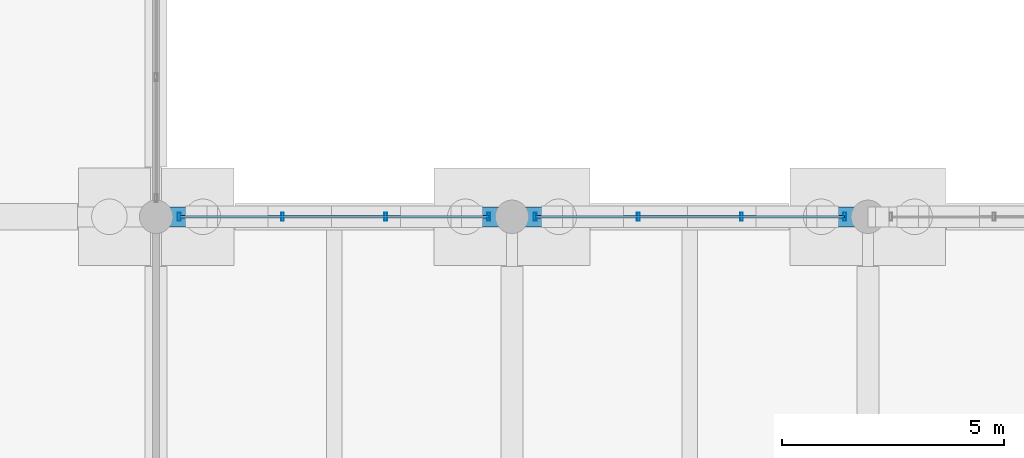
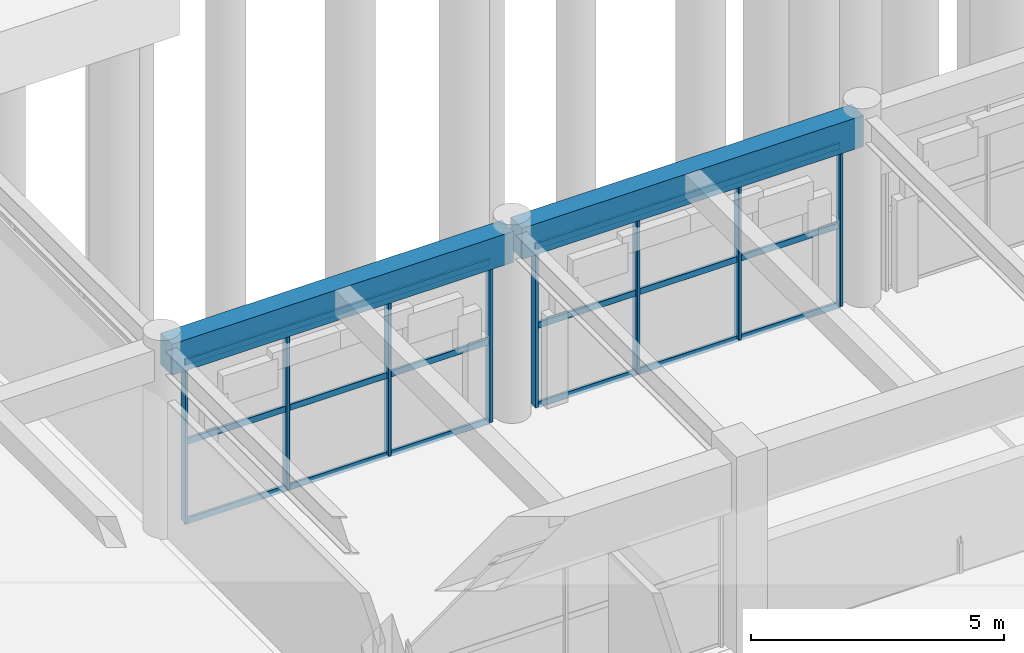
# One storey, part 58 of 147: 14 members, 2 beams, 2 elements without a shape of their own.
"""IFC4 building model written with IfcOpenShell, lengths in metres."""

from ifc_helpers import new_model, si_unit, direction, frame, origin, origin_2d, place, context, subcontext, project, spatial, rectangle, hollow_rectangle, extrude, material, material_profile, profile_set, type_object, element, aggregate, save


model = new_model("IFC4")

# Units and contexts
model_context = context("Model", 3, precision=1e-05, world=origin(), true_north=direction((0.0, 1.0)))
body_context = subcontext(model_context, "Body", "Model", "MODEL_VIEW")
ifc_project = project(units=[si_unit("LENGTHUNIT", "METRE"), si_unit("AREAUNIT", "SQUARE_METRE"), si_unit("VOLUMEUNIT", "CUBIC_METRE"), si_unit("PLANEANGLEUNIT", "RADIAN"), si_unit("MASSUNIT", "GRAM", prefix="KILO")], contexts=[model_context])

# Site, building, storey
site_placement = place(None, origin())
site = spatial("IfcSite", under=ifc_project, at=site_placement, CompositionType="ELEMENT")
building_placement = place(site_placement, origin())
building = spatial("IfcBuilding", under=site, at=building_placement, Name="Varnabhumi Central Station", CompositionType="ELEMENT")
storey_placement = place(building_placement, origin())
storey = spatial("IfcBuildingStorey", under=building, at=storey_placement, Name="L00", CompositionType="ELEMENT", Elevation=0.0)

# Beams
ifc_material_1 = material(Name="Concrete M40", Category="concrete")
ifc_material_profile_1 = material_profile(ifc_material_1, rectangle(XDim=0.449951171875, YDim=0.75, at=origin_2d()), Name="Concrete M40", Category="concrete")
ifc_profile_set_1 = profile_set([ifc_material_profile_1], Name="Concrete M40")
beam_type = type_object("IfcBeamType", Name="BM-RC-450x750", PredefinedType="BEAM", material=ifc_profile_set_1)
for number, where, z_axis, x_axis, name in (
    (1, (48.10009765625, 89.0, 4.175048828125), (1.0, 0.0, 0.0), (0.0, 1.0, 0.0), "Beam L00-L:7-8"),
    (2, (56.10009765625, 89.0, 4.175048828125), (1.0, 0.0, 0.0), (0.0, 1.0, 0.0), "Beam L00-L:8-9"),
):
    element("IfcBeam", number, at=place(storey_placement, frame(where, z_axis=z_axis, x_axis=x_axis)), inside=storey, type_object=beam_type, Name=name, PredefinedType="BEAM", context=body_context, shape_type="SweptSolid", body=[
        extrude(rectangle(XDim=0.449951171875, YDim=0.75, at=origin_2d()), origin(), (0.0, 0.0, 1.0), 7.7998046875),
    ])

# Curtain wall, members
ifc_material_2 = material(Name="Anodised aluminium 6063-T6", Category="aluminium")
curtain_wall_type = type_object("IfcCurtainWallType", Name="CW-PATIO-LOGGIA-L0", PredefinedType="NOTDEFINED", material=ifc_material_2)
curtain_wall_1_placement = place(storey_placement, origin())
curtain_wall_1 = element("IfcCurtainWall", 3, at=curtain_wall_1_placement, inside=storey, type_object=curtain_wall_type, Name="Curtain Wall CW-NP0S1", PredefinedType="NOTDEFINED")
ifc_material_profile_2 = material_profile(ifc_material_2, hollow_rectangle(XDim=0.06494140625, YDim=0.179931640625, WallThickness=0.00390625, InnerFilletRadius=0.001953125, OuterFilletRadius=0.006103515625, at=origin_2d()), Name="Anodised aluminium 6063-T6", Category="aluminium")
ifc_profile_set_2 = profile_set([ifc_material_profile_2], Name="Anodised aluminium 6063-T6")
member_type_1 = type_object("IfcMemberType", Name="CW-MUL-180", PredefinedType="MULLION", material=ifc_profile_set_2)
member_1_placement = place(storey_placement, frame((48.52001953125, 89.0, 0.0), z_axis=(0.0, 0.0, 1.0), x_axis=(1.0, 0.0, 0.0)))
member_1 = element("IfcMember", 4, at=member_1_placement, type_object=member_type_1, Name="Curtain Wall Mullion CW-NP0S1-M1", PredefinedType="MULLION", context=body_context, shape_type="SweptSolid", body=[
    extrude(hollow_rectangle(XDim=0.06494140625, YDim=0.179931640625, WallThickness=0.00390625, InnerFilletRadius=0.001953125, OuterFilletRadius=0.006103515625, at=origin_2d()), origin(), (0.0, 0.0, 1.0), 3.840087890625),
])
member_2_placement = place(storey_placement, frame((50.840087890625, 89.0, 0.0), z_axis=(0.0, 0.0, 1.0), x_axis=(1.0, 0.0, 0.0)))
member_2 = element("IfcMember", 5, at=member_2_placement, type_object=member_type_1, Name="Curtain Wall Mullion CW-NP0S1-M2", PredefinedType="MULLION", context=body_context, shape_type="SweptSolid", body=[
    extrude(hollow_rectangle(XDim=0.06494140625, YDim=0.179931640625, WallThickness=0.00390625, InnerFilletRadius=0.001953125, OuterFilletRadius=0.006103515625, at=origin_2d()), origin(), (0.0, 0.0, 1.0), 3.840087890625),
])
member_3_placement = place(storey_placement, frame((53.159912109375, 89.0, 0.0), z_axis=(0.0, 0.0, 1.0), x_axis=(1.0, 0.0, 0.0)))
member_3 = element("IfcMember", 6, at=member_3_placement, type_object=member_type_1, Name="Curtain Wall Mullion CW-NP0S1-M3", PredefinedType="MULLION", context=body_context, shape_type="SweptSolid", body=[
    extrude(hollow_rectangle(XDim=0.06494140625, YDim=0.179931640625, WallThickness=0.00390625, InnerFilletRadius=0.001953125, OuterFilletRadius=0.006103515625, at=origin_2d()), origin(), (0.0, 0.0, 1.0), 3.840087890625),
])
member_4_placement = place(storey_placement, frame((55.47998046875, 89.0, 0.0), z_axis=(0.0, 0.0, 1.0), x_axis=(1.0, 0.0, 0.0)))
member_4 = element("IfcMember", 7, at=member_4_placement, type_object=member_type_1, Name="Curtain Wall Mullion CW-NP0S1-M4", PredefinedType="MULLION", context=body_context, shape_type="SweptSolid", body=[
    extrude(hollow_rectangle(XDim=0.06494140625, YDim=0.179931640625, WallThickness=0.00390625, InnerFilletRadius=0.001953125, OuterFilletRadius=0.006103515625, at=origin_2d()), origin(), (0.0, 0.0, 1.0), 3.840087890625),
])

curtain_wall_2_placement = place(storey_placement, origin())
curtain_wall_2 = element("IfcCurtainWall", 8, at=curtain_wall_2_placement, inside=storey, type_object=curtain_wall_type, Name="Curtain Wall CW-NP0S2", PredefinedType="NOTDEFINED")
member_5_placement = place(storey_placement, frame((56.52001953125, 89.0, 0.0), z_axis=(0.0, 0.0, 1.0), x_axis=(1.0, 0.0, 0.0)))
member_5 = element("IfcMember", 9, at=member_5_placement, type_object=member_type_1, Name="Curtain Wall Mullion CW-NP0S2-M1", PredefinedType="MULLION", context=body_context, shape_type="SweptSolid", body=[
    extrude(hollow_rectangle(XDim=0.06494140625, YDim=0.179931640625, WallThickness=0.00390625, InnerFilletRadius=0.001953125, OuterFilletRadius=0.006103515625, at=origin_2d()), origin(), (0.0, 0.0, 1.0), 3.840087890625),
])
member_6_placement = place(storey_placement, frame((58.840087890625, 89.0, 0.0), z_axis=(0.0, 0.0, 1.0), x_axis=(1.0, 0.0, 0.0)))
member_6 = element("IfcMember", 10, at=member_6_placement, type_object=member_type_1, Name="Curtain Wall Mullion CW-NP0S2-M2", PredefinedType="MULLION", context=body_context, shape_type="SweptSolid", body=[
    extrude(hollow_rectangle(XDim=0.06494140625, YDim=0.179931640625, WallThickness=0.00390625, InnerFilletRadius=0.001953125, OuterFilletRadius=0.006103515625, at=origin_2d()), origin(), (0.0, 0.0, 1.0), 3.840087890625),
])
member_7_placement = place(storey_placement, frame((61.159912109375, 89.0, 0.0), z_axis=(0.0, 0.0, 1.0), x_axis=(1.0, 0.0, 0.0)))
member_7 = element("IfcMember", 11, at=member_7_placement, type_object=member_type_1, Name="Curtain Wall Mullion CW-NP0S2-M3", PredefinedType="MULLION", context=body_context, shape_type="SweptSolid", body=[
    extrude(hollow_rectangle(XDim=0.06494140625, YDim=0.179931640625, WallThickness=0.00390625, InnerFilletRadius=0.001953125, OuterFilletRadius=0.006103515625, at=origin_2d()), origin(), (0.0, 0.0, 1.0), 3.840087890625),
])
member_8_placement = place(storey_placement, frame((63.47998046875, 89.0, 0.0), z_axis=(0.0, 0.0, 1.0), x_axis=(1.0, 0.0, 0.0)))
member_8 = element("IfcMember", 12, at=member_8_placement, type_object=member_type_1, Name="Curtain Wall Mullion CW-NP0S2-M4", PredefinedType="MULLION", context=body_context, shape_type="SweptSolid", body=[
    extrude(hollow_rectangle(XDim=0.06494140625, YDim=0.179931640625, WallThickness=0.00390625, InnerFilletRadius=0.001953125, OuterFilletRadius=0.006103515625, at=origin_2d()), origin(), (0.0, 0.0, 1.0), 3.840087890625),
])

# Member
ifc_material_profile_3 = material_profile(ifc_material_2, hollow_rectangle(XDim=0.06005859375, YDim=0.14990234375, WallThickness=0.00390625, InnerFilletRadius=0.001953125, OuterFilletRadius=0.006103515625, at=origin_2d()), Name="Anodised aluminium 6063-T6", Category="aluminium")
ifc_profile_set_3 = profile_set([ifc_material_profile_3], Name="Anodised aluminium 6063-T6")
member_type_2 = type_object("IfcMemberType", Name="CW-TR-150", PredefinedType="USERDEFINED", material=ifc_profile_set_3)
member_9_placement = place(storey_placement, frame((48.52001953125, 89.0, 0.0), z_axis=(1.0, 0.0, 0.0), x_axis=(0.0, 1.0, 0.0)))
member_9 = element("IfcMember", 13, at=member_9_placement, type_object=member_type_2, Name="Curtain Wall Transom CW-NP0S1-T1", ObjectType="TRANSOM", PredefinedType="USERDEFINED", context=body_context, shape_type="SweptSolid", body=[
    extrude(hollow_rectangle(XDim=0.06005859375, YDim=0.14990234375, WallThickness=0.00390625, InnerFilletRadius=0.001953125, OuterFilletRadius=0.006103515625, at=origin_2d()), origin(), (0.0, 0.0, 1.0), 6.9599609375),
])

member_10_placement = place(storey_placement, frame((48.52001953125, 89.0, 1.919921875), z_axis=(1.0, 0.0, 0.0), x_axis=(0.0, 1.0, 0.0)))
member_10 = element("IfcMember", 14, at=member_10_placement, type_object=member_type_2, Name="Curtain Wall Transom CW-NP0S1-T2", ObjectType="TRANSOM", PredefinedType="USERDEFINED", context=body_context, shape_type="SweptSolid", body=[
    extrude(hollow_rectangle(XDim=0.06005859375, YDim=0.14990234375, WallThickness=0.00390625, InnerFilletRadius=0.001953125, OuterFilletRadius=0.006103515625, at=origin_2d()), origin(), (0.0, 0.0, 1.0), 6.9599609375),
])

member_11_placement = place(storey_placement, frame((48.52001953125, 89.0, 3.840087890625), z_axis=(1.0, 0.0, 0.0), x_axis=(0.0, 1.0, 0.0)))
member_11 = element("IfcMember", 15, at=member_11_placement, type_object=member_type_2, Name="Curtain Wall Transom CW-NP0S1-T3", ObjectType="TRANSOM", PredefinedType="USERDEFINED", context=body_context, shape_type="SweptSolid", body=[
    extrude(hollow_rectangle(XDim=0.06005859375, YDim=0.14990234375, WallThickness=0.00390625, InnerFilletRadius=0.001953125, OuterFilletRadius=0.006103515625, at=origin_2d()), origin(), (0.0, 0.0, 1.0), 6.9599609375),
])

aggregate(curtain_wall_1, [member_1, member_2, member_3, member_4, member_9, member_10, member_11])

member_12_placement = place(storey_placement, frame((56.52001953125, 89.0, 0.0), z_axis=(1.0, 0.0, 0.0), x_axis=(0.0, 1.0, 0.0)))
member_12 = element("IfcMember", 16, at=member_12_placement, type_object=member_type_2, Name="Curtain Wall Transom CW-NP0S2-T1", ObjectType="TRANSOM", PredefinedType="USERDEFINED", context=body_context, shape_type="SweptSolid", body=[
    extrude(hollow_rectangle(XDim=0.06005859375, YDim=0.14990234375, WallThickness=0.00390625, InnerFilletRadius=0.001953125, OuterFilletRadius=0.006103515625, at=origin_2d()), origin(), (0.0, 0.0, 1.0), 6.9599609375),
])

member_13_placement = place(storey_placement, frame((56.52001953125, 89.0, 1.919921875), z_axis=(1.0, 0.0, 0.0), x_axis=(0.0, 1.0, 0.0)))
member_13 = element("IfcMember", 17, at=member_13_placement, type_object=member_type_2, Name="Curtain Wall Transom CW-NP0S2-T2", ObjectType="TRANSOM", PredefinedType="USERDEFINED", context=body_context, shape_type="SweptSolid", body=[
    extrude(hollow_rectangle(XDim=0.06005859375, YDim=0.14990234375, WallThickness=0.00390625, InnerFilletRadius=0.001953125, OuterFilletRadius=0.006103515625, at=origin_2d()), origin(), (0.0, 0.0, 1.0), 6.9599609375),
])

member_14_placement = place(storey_placement, frame((56.52001953125, 89.0, 3.840087890625), z_axis=(1.0, 0.0, 0.0), x_axis=(0.0, 1.0, 0.0)))
member_14 = element("IfcMember", 18, at=member_14_placement, type_object=member_type_2, Name="Curtain Wall Transom CW-NP0S2-T3", ObjectType="TRANSOM", PredefinedType="USERDEFINED", context=body_context, shape_type="SweptSolid", body=[
    extrude(hollow_rectangle(XDim=0.06005859375, YDim=0.14990234375, WallThickness=0.00390625, InnerFilletRadius=0.001953125, OuterFilletRadius=0.006103515625, at=origin_2d()), origin(), (0.0, 0.0, 1.0), 6.9599609375),
])

aggregate(curtain_wall_2, [member_5, member_6, member_7, member_8, member_12, member_13, member_14])

save(model, "model.ifc")
